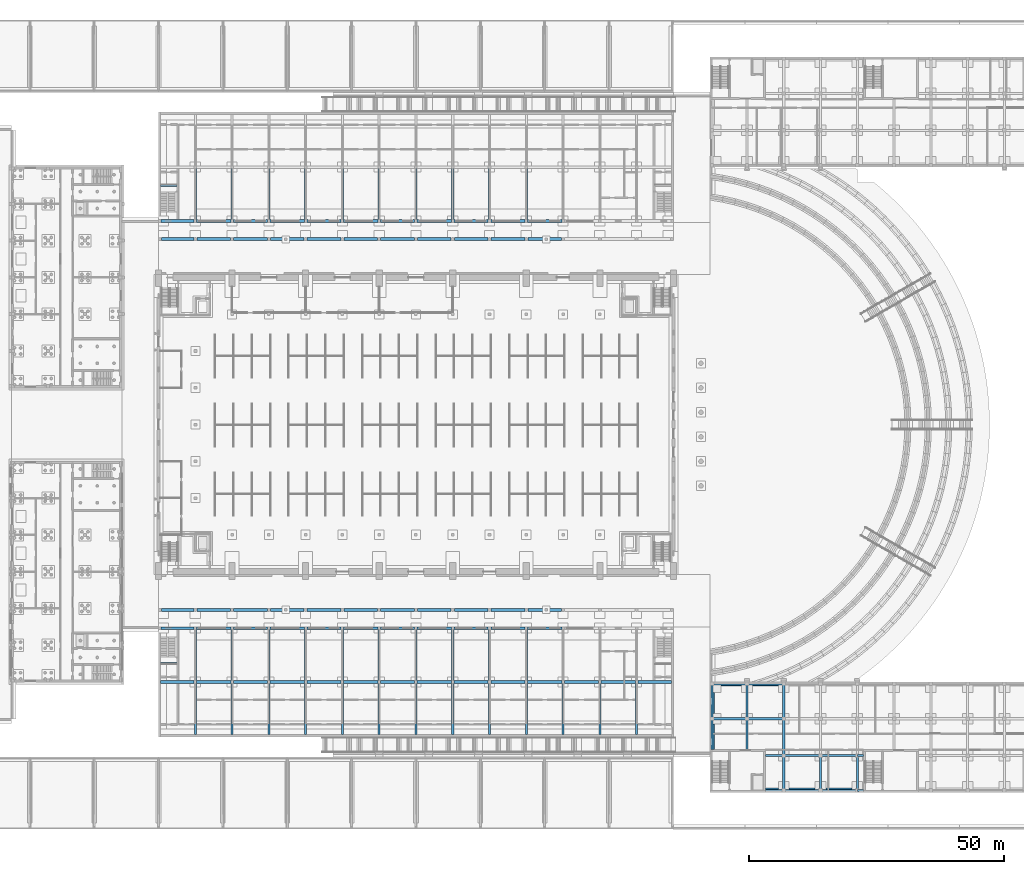
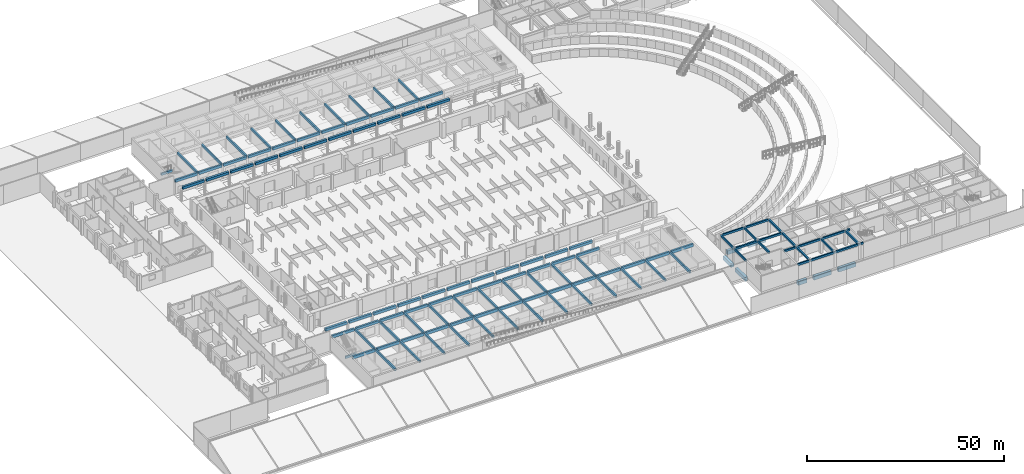
# One storey, part 20 of 73: 121 beams.
"""IFC4 building model written with IfcOpenShell, lengths in metres."""

from ifc_helpers import new_model, si_unit, direction, frame, origin, origin_2d, place, context, subcontext, project, spatial, rectangle, extrude, material, material_profile, profile_set, type_object, element, save


model = new_model("IFC4")

# Units and contexts
model_context = context("Model", 3, precision=1e-05, world=origin(), true_north=direction((0.0, 1.0)))
body_context = subcontext(model_context, "Body", "Model", "MODEL_VIEW")
ifc_project = project(units=[si_unit("LENGTHUNIT", "METRE"), si_unit("AREAUNIT", "SQUARE_METRE"), si_unit("VOLUMEUNIT", "CUBIC_METRE"), si_unit("PLANEANGLEUNIT", "RADIAN"), si_unit("MASSUNIT", "GRAM", prefix="KILO")], contexts=[model_context])

# Site, building, storey
site_placement = place(None, origin())
site = spatial("IfcSite", under=ifc_project, at=site_placement, CompositionType="ELEMENT")
building_placement = place(site_placement, origin())
building = spatial("IfcBuilding", under=site, at=building_placement, Name="Alderwick Market Hall", CompositionType="ELEMENT")
storey_placement = place(building_placement, origin())
storey = spatial("IfcBuildingStorey", under=building, at=storey_placement, Name="LG", CompositionType="ELEMENT", Elevation=0.0)

# Beams
ifc_material = material(Name="Concrete 5000 psi (f'c 35 MPa)", Category="concrete")
ifc_material_profile_1 = material_profile(ifc_material, rectangle(XDim=0.60009765625, YDim=0.800048828125, at=origin_2d()), Name="A RC Arcade Beam 600x800")
ifc_profile_set_1 = profile_set([ifc_material_profile_1], Name="Concrete 5000 psi (f'c 35 MPa)")
beam_type_1 = type_object("IfcBeamType", Name="A RC Arcade Beam 600x800", PredefinedType="BEAM", material=ifc_profile_set_1)
beam_1_placement = place(storey_placement, frame((51.0, 115.5, 4.0), z_axis=(1.0, 0.0, 0.0), x_axis=(0.0, 1.0, 0.0)))
element("IfcBeam", 1, at=beam_1_placement, inside=storey, type_object=beam_type_1, Name="A.N.beam.C00", PredefinedType="BEAM", context=body_context, shape_type="SweptSolid", body=[
    extrude(rectangle(XDim=0.60009765625, YDim=0.800048828125, at=origin_2d()), origin(), (0.0, 0.0, 1.0), 6.300048828125),
])
beam_2_placement = place(storey_placement, frame((57.89990234375, 115.5, 4.0), z_axis=(1.0, 0.0, 0.0), x_axis=(0.0, 1.0, 0.0)))
element("IfcBeam", 2, at=beam_2_placement, inside=storey, type_object=beam_type_1, Name="A.N.beam.C01", PredefinedType="BEAM", context=body_context, shape_type="SweptSolid", body=[
    extrude(rectangle(XDim=0.60009765625, YDim=0.800048828125, at=origin_2d()), origin(), (0.0, 0.0, 1.0), 6.60009765625),
])
for number, where, z_axis, x_axis, name in (
    (3, (65.10009765625, 115.5, 4.0), (1.0, 0.0, 0.0), (0.0, 1.0, 0.0), "A.N.beam.C02"),
    (4, (72.300048828125, 115.5, 4.0), (1.0, 0.0, 0.0), (0.0, 1.0, 0.0), "A.N.beam.C03"),
):
    element("IfcBeam", number, at=place(storey_placement, frame(where, z_axis=z_axis, x_axis=x_axis)), inside=storey, type_object=beam_type_1, Name=name, PredefinedType="BEAM", context=body_context, shape_type="SweptSolid", body=[
        extrude(rectangle(XDim=0.60009765625, YDim=0.800048828125, at=origin_2d()), origin(), (0.0, 0.0, 1.0), 6.599853515625),
    ])
for number, where, z_axis, x_axis, name in (
    (5, (79.5, 115.5, 4.0), (1.0, 0.0, 0.0), (0.0, 1.0, 0.0), "A.N.beam.C04"),
    (6, (86.699951171875, 115.5, 4.0), (1.0, 0.0, 0.0), (0.0, 1.0, 0.0), "A.N.beam.C05"),
    (7, (93.89990234375, 115.5, 4.0), (1.0, 0.0, 0.0), (0.0, 1.0, 0.0), "A.N.beam.C06"),
):
    element("IfcBeam", number, at=place(storey_placement, frame(where, z_axis=z_axis, x_axis=x_axis)), inside=storey, type_object=beam_type_1, Name=name, PredefinedType="BEAM", context=body_context, shape_type="SweptSolid", body=[
        extrude(rectangle(XDim=0.60009765625, YDim=0.800048828125, at=origin_2d()), origin(), (0.0, 0.0, 1.0), 6.60009765625),
    ])
for number, where, z_axis, x_axis, name in (
    (8, (101.10009765625, 115.5, 4.0), (1.0, 0.0, 0.0), (0.0, 1.0, 0.0), "A.N.beam.C07"),
    (9, (108.300048828125, 115.5, 4.0), (1.0, 0.0, 0.0), (0.0, 1.0, 0.0), "A.N.beam.C08"),
):
    element("IfcBeam", number, at=place(storey_placement, frame(where, z_axis=z_axis, x_axis=x_axis)), inside=storey, type_object=beam_type_1, Name=name, PredefinedType="BEAM", context=body_context, shape_type="SweptSolid", body=[
        extrude(rectangle(XDim=0.60009765625, YDim=0.800048828125, at=origin_2d()), origin(), (0.0, 0.0, 1.0), 6.599853515625),
    ])
for number, where, z_axis, x_axis, name in (
    (10, (115.5, 115.5, 4.0), (1.0, 0.0, 0.0), (0.0, 1.0, 0.0), "A.N.beam.C09"),
    (11, (122.699951171875, 115.5, 4.0), (1.0, 0.0, 0.0), (0.0, 1.0, 0.0), "A.N.beam.C10"),
):
    element("IfcBeam", number, at=place(storey_placement, frame(where, z_axis=z_axis, x_axis=x_axis)), inside=storey, type_object=beam_type_1, Name=name, PredefinedType="BEAM", context=body_context, shape_type="SweptSolid", body=[
        extrude(rectangle(XDim=0.60009765625, YDim=0.800048828125, at=origin_2d()), origin(), (0.0, 0.0, 1.0), 6.60009765625),
    ])
beam_3_placement = place(storey_placement, frame((51.0, 42.89990234375, 4.0), z_axis=(1.0, 0.0, 0.0), x_axis=(0.0, 1.0, 0.0)))
element("IfcBeam", 12, at=beam_3_placement, inside=storey, type_object=beam_type_1, Name="A.S.beam.C00", PredefinedType="BEAM", context=body_context, shape_type="SweptSolid", body=[
    extrude(rectangle(XDim=0.60009765625, YDim=0.800048828125, at=origin_2d()), origin(), (0.0, 0.0, 1.0), 6.300048828125),
])
beam_4_placement = place(storey_placement, frame((57.89990234375, 42.89990234375, 4.0), z_axis=(1.0, 0.0, 0.0), x_axis=(0.0, 1.0, 0.0)))
element("IfcBeam", 13, at=beam_4_placement, inside=storey, type_object=beam_type_1, Name="A.S.beam.C01", PredefinedType="BEAM", context=body_context, shape_type="SweptSolid", body=[
    extrude(rectangle(XDim=0.60009765625, YDim=0.800048828125, at=origin_2d()), origin(), (0.0, 0.0, 1.0), 6.60009765625),
])
for number, where, z_axis, x_axis, name in (
    (14, (65.10009765625, 42.89990234375, 4.0), (1.0, 0.0, 0.0), (0.0, 1.0, 0.0), "A.S.beam.C02"),
    (15, (72.300048828125, 42.89990234375, 4.0), (1.0, 0.0, 0.0), (0.0, 1.0, 0.0), "A.S.beam.C03"),
):
    element("IfcBeam", number, at=place(storey_placement, frame(where, z_axis=z_axis, x_axis=x_axis)), inside=storey, type_object=beam_type_1, Name=name, PredefinedType="BEAM", context=body_context, shape_type="SweptSolid", body=[
        extrude(rectangle(XDim=0.60009765625, YDim=0.800048828125, at=origin_2d()), origin(), (0.0, 0.0, 1.0), 6.599853515625),
    ])
for number, where, z_axis, x_axis, name in (
    (16, (79.5, 42.89990234375, 4.0), (1.0, 0.0, 0.0), (0.0, 1.0, 0.0), "A.S.beam.C04"),
    (17, (86.699951171875, 42.89990234375, 4.0), (1.0, 0.0, 0.0), (0.0, 1.0, 0.0), "A.S.beam.C05"),
    (18, (93.89990234375, 42.89990234375, 4.0), (1.0, 0.0, 0.0), (0.0, 1.0, 0.0), "A.S.beam.C06"),
):
    element("IfcBeam", number, at=place(storey_placement, frame(where, z_axis=z_axis, x_axis=x_axis)), inside=storey, type_object=beam_type_1, Name=name, PredefinedType="BEAM", context=body_context, shape_type="SweptSolid", body=[
        extrude(rectangle(XDim=0.60009765625, YDim=0.800048828125, at=origin_2d()), origin(), (0.0, 0.0, 1.0), 6.60009765625),
    ])
for number, where, z_axis, x_axis, name in (
    (19, (101.10009765625, 42.89990234375, 4.0), (1.0, 0.0, 0.0), (0.0, 1.0, 0.0), "A.S.beam.C07"),
    (20, (108.300048828125, 42.89990234375, 4.0), (1.0, 0.0, 0.0), (0.0, 1.0, 0.0), "A.S.beam.C08"),
):
    element("IfcBeam", number, at=place(storey_placement, frame(where, z_axis=z_axis, x_axis=x_axis)), inside=storey, type_object=beam_type_1, Name=name, PredefinedType="BEAM", context=body_context, shape_type="SweptSolid", body=[
        extrude(rectangle(XDim=0.60009765625, YDim=0.800048828125, at=origin_2d()), origin(), (0.0, 0.0, 1.0), 6.599853515625),
    ])
for number, where, z_axis, x_axis, name in (
    (21, (115.5, 42.89990234375, 4.0), (1.0, 0.0, 0.0), (0.0, 1.0, 0.0), "A.S.beam.C09"),
    (22, (122.699951171875, 42.89990234375, 4.0), (1.0, 0.0, 0.0), (0.0, 1.0, 0.0), "A.S.beam.C10"),
):
    element("IfcBeam", number, at=place(storey_placement, frame(where, z_axis=z_axis, x_axis=x_axis)), inside=storey, type_object=beam_type_1, Name=name, PredefinedType="BEAM", context=body_context, shape_type="SweptSolid", body=[
        extrude(rectangle(XDim=0.60009765625, YDim=0.800048828125, at=origin_2d()), origin(), (0.0, 0.0, 1.0), 6.60009765625),
    ])
ifc_material_profile_2 = material_profile(ifc_material, rectangle(XDim=0.39990234375, YDim=0.699951171875, at=origin_2d()), Name="A RC Cross Beam 400x700")
ifc_profile_set_2 = profile_set([ifc_material_profile_2], Name="Concrete 5000 psi (f'c 35 MPa)")
beam_type_2 = type_object("IfcBeamType", Name="A RC Cross Beam 400x700", PredefinedType="BEAM", material=ifc_profile_set_2)
for number, where, z_axis, x_axis, name in (
    (23, (57.60009765625, 119.300048828125, 4.050048828125), (0.0, 1.0, 0.0), (-1.0, 0.0, 0.0), "A.N.beam.X000"),
    (24, (64.800048828125, 119.300048828125, 4.050048828125), (0.0, 1.0, 0.0), (-1.0, 0.0, 0.0), "A.N.beam.X010"),
    (25, (72.0, 119.300048828125, 4.050048828125), (0.0, 1.0, 0.0), (-1.0, 0.0, 0.0), "A.N.beam.X020"),
    (26, (79.199951171875, 119.300048828125, 4.050048828125), (0.0, 1.0, 0.0), (-1.0, 0.0, 0.0), "A.N.beam.X030"),
    (27, (86.39990234375, 119.300048828125, 4.050048828125), (0.0, 1.0, 0.0), (-1.0, 0.0, 0.0), "A.N.beam.X040"),
    (28, (93.60009765625, 119.300048828125, 4.050048828125), (0.0, 1.0, 0.0), (-1.0, 0.0, 0.0), "A.N.beam.X050"),
    (29, (100.800048828125, 119.300048828125, 4.050048828125), (0.0, 1.0, 0.0), (-1.0, 0.0, 0.0), "A.N.beam.X060"),
    (30, (108.0, 119.300048828125, 4.050048828125), (0.0, 1.0, 0.0), (-1.0, 0.0, 0.0), "A.N.beam.X070"),
    (31, (115.199951171875, 119.300048828125, 4.050048828125), (0.0, 1.0, 0.0), (-1.0, 0.0, 0.0), "A.N.beam.X080"),
    (32, (122.39990234375, 119.300048828125, 4.050048828125), (0.0, 1.0, 0.0), (-1.0, 0.0, 0.0), "A.N.beam.X090"),
    (33, (57.60009765625, 39.10009765625, 4.050048828125), (0.0, -1.0, 0.0), (1.0, 0.0, 0.0), "A.S.beam.X000"),
    (34, (57.60009765625, 28.550048828125, 4.050048828125), (0.0, -1.0, 0.0), (1.0, 0.0, 0.0), "A.S.beam.X001"),
    (35, (64.800048828125, 39.10009765625, 4.050048828125), (0.0, -1.0, 0.0), (1.0, 0.0, 0.0), "A.S.beam.X010"),
    (36, (64.800048828125, 28.550048828125, 4.050048828125), (0.0, -1.0, 0.0), (1.0, 0.0, 0.0), "A.S.beam.X011"),
    (37, (72.0, 39.10009765625, 4.050048828125), (0.0, -1.0, 0.0), (1.0, 0.0, 0.0), "A.S.beam.X020"),
    (38, (72.0, 28.550048828125, 4.050048828125), (0.0, -1.0, 0.0), (1.0, 0.0, 0.0), "A.S.beam.X021"),
    (39, (79.199951171875, 39.10009765625, 4.050048828125), (0.0, -1.0, 0.0), (1.0, 0.0, 0.0), "A.S.beam.X030"),
    (40, (79.199951171875, 28.550048828125, 4.050048828125), (0.0, -1.0, 0.0), (1.0, 0.0, 0.0), "A.S.beam.X031"),
    (41, (86.39990234375, 39.10009765625, 4.050048828125), (0.0, -1.0, 0.0), (1.0, 0.0, 0.0), "A.S.beam.X040"),
    (42, (86.39990234375, 28.550048828125, 4.050048828125), (0.0, -1.0, 0.0), (1.0, 0.0, 0.0), "A.S.beam.X041"),
    (43, (93.60009765625, 39.10009765625, 4.050048828125), (0.0, -1.0, 0.0), (1.0, 0.0, 0.0), "A.S.beam.X050"),
    (44, (93.60009765625, 28.550048828125, 4.050048828125), (0.0, -1.0, 0.0), (1.0, 0.0, 0.0), "A.S.beam.X051"),
    (45, (100.800048828125, 39.10009765625, 4.050048828125), (0.0, -1.0, 0.0), (1.0, 0.0, 0.0), "A.S.beam.X060"),
    (46, (100.800048828125, 28.550048828125, 4.050048828125), (0.0, -1.0, 0.0), (1.0, 0.0, 0.0), "A.S.beam.X061"),
    (47, (108.0, 39.10009765625, 4.050048828125), (0.0, -1.0, 0.0), (1.0, 0.0, 0.0), "A.S.beam.X070"),
    (48, (108.0, 28.550048828125, 4.050048828125), (0.0, -1.0, 0.0), (1.0, 0.0, 0.0), "A.S.beam.X071"),
    (49, (115.199951171875, 39.10009765625, 4.050048828125), (0.0, -1.0, 0.0), (1.0, 0.0, 0.0), "A.S.beam.X080"),
    (50, (115.199951171875, 28.550048828125, 4.050048828125), (0.0, -1.0, 0.0), (1.0, 0.0, 0.0), "A.S.beam.X081"),
    (51, (122.39990234375, 39.10009765625, 4.050048828125), (0.0, -1.0, 0.0), (1.0, 0.0, 0.0), "A.S.beam.X090"),
    (52, (122.39990234375, 28.550048828125, 4.050048828125), (0.0, -1.0, 0.0), (1.0, 0.0, 0.0), "A.S.beam.X091"),
    (53, (129.60009765625, 28.550048828125, 4.050048828125), (0.0, -1.0, 0.0), (1.0, 0.0, 0.0), "A.S.beam.X101"),
    (54, (136.800048828125, 28.550048828125, 4.050048828125), (0.0, -1.0, 0.0), (1.0, 0.0, 0.0), "A.S.beam.X111"),
    (55, (144.0, 28.550048828125, 4.050048828125), (0.0, -1.0, 0.0), (1.0, 0.0, 0.0), "A.S.beam.X121"),
):
    element("IfcBeam", number, at=place(storey_placement, frame(where, z_axis=z_axis, x_axis=x_axis)), inside=storey, type_object=beam_type_2, Name=name, PredefinedType="BEAM", context=body_context, shape_type="SweptSolid", body=[
        extrude(rectangle(XDim=0.39990234375, YDim=0.699951171875, at=origin_2d()), origin(), (0.0, 0.0, 1.0), 10.050048828125),
    ])
for number, where, z_axis, x_axis, name in (
    (56, (50.800048828125, 126.02001953125, 1.85009765625), (1.0, 0.0, 0.0), (0.0, 1.0, 0.0), "A.N.beam.landing.W"),
    (57, (50.800048828125, 32.3798828125, 1.85009765625), (1.0, 0.0, 0.0), (0.0, 1.0, 0.0), "A.S.beam.landing.W"),
):
    element("IfcBeam", number, at=place(storey_placement, frame(where, z_axis=z_axis, x_axis=x_axis)), inside=storey, type_object=beam_type_2, Name=name, PredefinedType="BEAM", context=body_context, shape_type="SweptSolid", body=[
        extrude(rectangle(XDim=0.39990234375, YDim=0.699951171875, at=origin_2d()), origin(), (0.0, 0.0, 1.0), 3.25),
    ])
ifc_material_profile_3 = material_profile(ifc_material, rectangle(XDim=0.5, YDim=0.800048828125, at=origin_2d()), Name="A RC Edge Beam 500x800")
ifc_profile_set_3 = profile_set([ifc_material_profile_3], Name="Concrete 5000 psi (f'c 35 MPa)")
beam_type_3 = type_object("IfcBeamType", Name="A RC Edge Beam 500x800", PredefinedType="BEAM", material=ifc_profile_set_3)
beam_5_placement = place(storey_placement, frame((50.89990234375, 119.050048828125, 4.0), z_axis=(1.0, 0.0, 0.0), x_axis=(0.0, 1.0, 0.0)))
element("IfcBeam", 58, at=beam_5_placement, inside=storey, type_object=beam_type_3, Name="A.N.beam.F00", PredefinedType="BEAM", context=body_context, shape_type="SweptSolid", body=[
    extrude(rectangle(XDim=0.5, YDim=0.800048828125, at=origin_2d()), origin(), (0.0, 0.0, 1.0), 6.4501953125),
])
for number, where, z_axis, x_axis, name in (
    (59, (57.85009765625, 119.050048828125, 4.0), (1.0, 0.0, 0.0), (0.0, 1.0, 0.0), "A.N.beam.F01"),
    (60, (65.050048828125, 119.050048828125, 4.0), (1.0, 0.0, 0.0), (0.0, 1.0, 0.0), "A.N.beam.F02"),
    (61, (72.25, 119.050048828125, 4.0), (1.0, 0.0, 0.0), (0.0, 1.0, 0.0), "A.N.beam.F03"),
    (62, (79.449951171875, 119.050048828125, 4.0), (1.0, 0.0, 0.0), (0.0, 1.0, 0.0), "A.N.beam.F04"),
):
    element("IfcBeam", number, at=place(storey_placement, frame(where, z_axis=z_axis, x_axis=x_axis)), inside=storey, type_object=beam_type_3, Name=name, PredefinedType="BEAM", context=body_context, shape_type="SweptSolid", body=[
        extrude(rectangle(XDim=0.5, YDim=0.800048828125, at=origin_2d()), origin(), (0.0, 0.0, 1.0), 6.699951171875),
    ])
beam_6_placement = place(storey_placement, frame((86.64990234375, 119.050048828125, 4.0), z_axis=(1.0, 0.0, 0.0), x_axis=(0.0, 1.0, 0.0)))
element("IfcBeam", 63, at=beam_6_placement, inside=storey, type_object=beam_type_3, Name="A.N.beam.F05", PredefinedType="BEAM", context=body_context, shape_type="SweptSolid", body=[
    extrude(rectangle(XDim=0.5, YDim=0.800048828125, at=origin_2d()), origin(), (0.0, 0.0, 1.0), 6.7001953125),
])
for number, where, z_axis, x_axis, name in (
    (64, (93.85009765625, 119.050048828125, 4.0), (1.0, 0.0, 0.0), (0.0, 1.0, 0.0), "A.N.beam.F06"),
    (65, (101.050048828125, 119.050048828125, 4.0), (1.0, 0.0, 0.0), (0.0, 1.0, 0.0), "A.N.beam.F07"),
    (66, (108.25, 119.050048828125, 4.0), (1.0, 0.0, 0.0), (0.0, 1.0, 0.0), "A.N.beam.F08"),
    (67, (115.449951171875, 119.050048828125, 4.0), (1.0, 0.0, 0.0), (0.0, 1.0, 0.0), "A.N.beam.F09"),
):
    element("IfcBeam", number, at=place(storey_placement, frame(where, z_axis=z_axis, x_axis=x_axis)), inside=storey, type_object=beam_type_3, Name=name, PredefinedType="BEAM", context=body_context, shape_type="SweptSolid", body=[
        extrude(rectangle(XDim=0.5, YDim=0.800048828125, at=origin_2d()), origin(), (0.0, 0.0, 1.0), 6.699951171875),
    ])
beam_7_placement = place(storey_placement, frame((122.64990234375, 119.050048828125, 4.0), z_axis=(1.0, 0.0, 0.0), x_axis=(0.0, 1.0, 0.0)))
element("IfcBeam", 68, at=beam_7_placement, inside=storey, type_object=beam_type_3, Name="A.N.beam.F10", PredefinedType="BEAM", context=body_context, shape_type="SweptSolid", body=[
    extrude(rectangle(XDim=0.5, YDim=0.800048828125, at=origin_2d()), origin(), (0.0, 0.0, 1.0), 6.7001953125),
])
beam_8_placement = place(storey_placement, frame((50.89990234375, 39.35009765625, 4.0), z_axis=(1.0, 0.0, 0.0), x_axis=(0.0, 1.0, 0.0)))
element("IfcBeam", 69, at=beam_8_placement, inside=storey, type_object=beam_type_3, Name="A.S.beam.F00", PredefinedType="BEAM", context=body_context, shape_type="SweptSolid", body=[
    extrude(rectangle(XDim=0.5, YDim=0.800048828125, at=origin_2d()), origin(), (0.0, 0.0, 1.0), 6.4501953125),
])
for number, where, z_axis, x_axis, name in (
    (70, (57.85009765625, 39.35009765625, 4.0), (1.0, 0.0, 0.0), (0.0, 1.0, 0.0), "A.S.beam.F01"),
    (71, (65.050048828125, 39.35009765625, 4.0), (1.0, 0.0, 0.0), (0.0, 1.0, 0.0), "A.S.beam.F02"),
    (72, (72.25, 39.35009765625, 4.0), (1.0, 0.0, 0.0), (0.0, 1.0, 0.0), "A.S.beam.F03"),
    (73, (79.449951171875, 39.35009765625, 4.0), (1.0, 0.0, 0.0), (0.0, 1.0, 0.0), "A.S.beam.F04"),
):
    element("IfcBeam", number, at=place(storey_placement, frame(where, z_axis=z_axis, x_axis=x_axis)), inside=storey, type_object=beam_type_3, Name=name, PredefinedType="BEAM", context=body_context, shape_type="SweptSolid", body=[
        extrude(rectangle(XDim=0.5, YDim=0.800048828125, at=origin_2d()), origin(), (0.0, 0.0, 1.0), 6.699951171875),
    ])
beam_9_placement = place(storey_placement, frame((86.64990234375, 39.35009765625, 4.0), z_axis=(1.0, 0.0, 0.0), x_axis=(0.0, 1.0, 0.0)))
element("IfcBeam", 74, at=beam_9_placement, inside=storey, type_object=beam_type_3, Name="A.S.beam.F05", PredefinedType="BEAM", context=body_context, shape_type="SweptSolid", body=[
    extrude(rectangle(XDim=0.5, YDim=0.800048828125, at=origin_2d()), origin(), (0.0, 0.0, 1.0), 6.7001953125),
])
for number, where, z_axis, x_axis, name in (
    (75, (93.85009765625, 39.35009765625, 4.0), (1.0, 0.0, 0.0), (0.0, 1.0, 0.0), "A.S.beam.F06"),
    (76, (101.050048828125, 39.35009765625, 4.0), (1.0, 0.0, 0.0), (0.0, 1.0, 0.0), "A.S.beam.F07"),
    (77, (108.25, 39.35009765625, 4.0), (1.0, 0.0, 0.0), (0.0, 1.0, 0.0), "A.S.beam.F08"),
    (78, (115.449951171875, 39.35009765625, 4.0), (1.0, 0.0, 0.0), (0.0, 1.0, 0.0), "A.S.beam.F09"),
):
    element("IfcBeam", number, at=place(storey_placement, frame(where, z_axis=z_axis, x_axis=x_axis)), inside=storey, type_object=beam_type_3, Name=name, PredefinedType="BEAM", context=body_context, shape_type="SweptSolid", body=[
        extrude(rectangle(XDim=0.5, YDim=0.800048828125, at=origin_2d()), origin(), (0.0, 0.0, 1.0), 6.699951171875),
    ])
beam_10_placement = place(storey_placement, frame((122.64990234375, 39.35009765625, 4.0), z_axis=(1.0, 0.0, 0.0), x_axis=(0.0, 1.0, 0.0)))
element("IfcBeam", 79, at=beam_10_placement, inside=storey, type_object=beam_type_3, Name="A.S.beam.F10", PredefinedType="BEAM", context=body_context, shape_type="SweptSolid", body=[
    extrude(rectangle(XDim=0.5, YDim=0.800048828125, at=origin_2d()), origin(), (0.0, 0.0, 1.0), 6.7001953125),
])
ifc_material_profile_4 = material_profile(ifc_material, rectangle(XDim=0.5, YDim=0.89990234375, at=origin_2d()), Name="A RC Ridge Beam 500x900")
ifc_profile_set_4 = profile_set([ifc_material_profile_4], Name="Concrete 5000 psi (f'c 35 MPa)")
beam_type_4 = type_object("IfcBeamType", Name="A RC Ridge Beam 500x900", PredefinedType="BEAM", material=ifc_profile_set_4)
beam_11_placement = place(storey_placement, frame((50.800048828125, 28.800048828125, 3.949951171875), z_axis=(1.0, 0.0, 0.0), x_axis=(0.0, 1.0, 0.0)))
element("IfcBeam", 80, at=beam_11_placement, inside=storey, type_object=beam_type_4, Name="A.S.beam.R00", PredefinedType="BEAM", context=body_context, shape_type="SweptSolid", body=[
    extrude(rectangle(XDim=0.5, YDim=0.89990234375, at=origin_2d()), origin(), (0.0, 0.0, 1.0), 6.550048828125),
])
for number, where, z_axis, x_axis, name in (
    (81, (57.85009765625, 28.800048828125, 3.949951171875), (1.0, 0.0, 0.0), (0.0, 1.0, 0.0), "A.S.beam.R01"),
    (82, (65.050048828125, 28.800048828125, 3.949951171875), (1.0, 0.0, 0.0), (0.0, 1.0, 0.0), "A.S.beam.R02"),
    (83, (72.25, 28.800048828125, 3.949951171875), (1.0, 0.0, 0.0), (0.0, 1.0, 0.0), "A.S.beam.R03"),
    (84, (79.449951171875, 28.800048828125, 3.949951171875), (1.0, 0.0, 0.0), (0.0, 1.0, 0.0), "A.S.beam.R04"),
):
    element("IfcBeam", number, at=place(storey_placement, frame(where, z_axis=z_axis, x_axis=x_axis)), inside=storey, type_object=beam_type_4, Name=name, PredefinedType="BEAM", context=body_context, shape_type="SweptSolid", body=[
        extrude(rectangle(XDim=0.5, YDim=0.89990234375, at=origin_2d()), origin(), (0.0, 0.0, 1.0), 6.699951171875),
    ])
beam_12_placement = place(storey_placement, frame((86.64990234375, 28.800048828125, 3.949951171875), z_axis=(1.0, 0.0, 0.0), x_axis=(0.0, 1.0, 0.0)))
element("IfcBeam", 85, at=beam_12_placement, inside=storey, type_object=beam_type_4, Name="A.S.beam.R05", PredefinedType="BEAM", context=body_context, shape_type="SweptSolid", body=[
    extrude(rectangle(XDim=0.5, YDim=0.89990234375, at=origin_2d()), origin(), (0.0, 0.0, 1.0), 6.7001953125),
])
for number, where, z_axis, x_axis, name in (
    (86, (93.85009765625, 28.800048828125, 3.949951171875), (1.0, 0.0, 0.0), (0.0, 1.0, 0.0), "A.S.beam.R06"),
    (87, (101.050048828125, 28.800048828125, 3.949951171875), (1.0, 0.0, 0.0), (0.0, 1.0, 0.0), "A.S.beam.R07"),
    (88, (108.25, 28.800048828125, 3.949951171875), (1.0, 0.0, 0.0), (0.0, 1.0, 0.0), "A.S.beam.R08"),
    (89, (115.449951171875, 28.800048828125, 3.949951171875), (1.0, 0.0, 0.0), (0.0, 1.0, 0.0), "A.S.beam.R09"),
):
    element("IfcBeam", number, at=place(storey_placement, frame(where, z_axis=z_axis, x_axis=x_axis)), inside=storey, type_object=beam_type_4, Name=name, PredefinedType="BEAM", context=body_context, shape_type="SweptSolid", body=[
        extrude(rectangle(XDim=0.5, YDim=0.89990234375, at=origin_2d()), origin(), (0.0, 0.0, 1.0), 6.699951171875),
    ])
beam_13_placement = place(storey_placement, frame((122.64990234375, 28.800048828125, 3.949951171875), z_axis=(1.0, 0.0, 0.0), x_axis=(0.0, 1.0, 0.0)))
element("IfcBeam", 90, at=beam_13_placement, inside=storey, type_object=beam_type_4, Name="A.S.beam.R10", PredefinedType="BEAM", context=body_context, shape_type="SweptSolid", body=[
    extrude(rectangle(XDim=0.5, YDim=0.89990234375, at=origin_2d()), origin(), (0.0, 0.0, 1.0), 6.7001953125),
])
for number, where, z_axis, x_axis, name in (
    (91, (129.85009765625, 28.800048828125, 3.949951171875), (1.0, 0.0, 0.0), (0.0, 1.0, 0.0), "A.S.beam.R11"),
    (92, (137.050048828125, 28.800048828125, 3.949951171875), (1.0, 0.0, 0.0), (0.0, 1.0, 0.0), "A.S.beam.R12"),
):
    element("IfcBeam", number, at=place(storey_placement, frame(where, z_axis=z_axis, x_axis=x_axis)), inside=storey, type_object=beam_type_4, Name=name, PredefinedType="BEAM", context=body_context, shape_type="SweptSolid", body=[
        extrude(rectangle(XDim=0.5, YDim=0.89990234375, at=origin_2d()), origin(), (0.0, 0.0, 1.0), 6.699951171875),
    ])
beam_14_placement = place(storey_placement, frame((144.25, 28.800048828125, 3.949951171875), z_axis=(1.0, 0.0, 0.0), x_axis=(0.0, 1.0, 0.0)))
element("IfcBeam", 93, at=beam_14_placement, inside=storey, type_object=beam_type_4, Name="A.S.beam.R13", PredefinedType="BEAM", context=body_context, shape_type="SweptSolid", body=[
    extrude(rectangle(XDim=0.5, YDim=0.89990234375, at=origin_2d()), origin(), (0.0, 0.0, 1.0), 6.550048828125),
])
ifc_material_profile_5 = material_profile(ifc_material, rectangle(XDim=0.39990234375, YDim=0.60009765625, at=origin_2d()), Name="RC 400x600")
ifc_profile_set_5 = profile_set([ifc_material_profile_5], Name="Concrete 5000 psi (f'c 35 MPa)")
beam_type_5 = type_object("IfcBeamType", Name="C Floor Beam RC 400x600", PredefinedType="BEAM", material=ifc_profile_set_5)
beam_15_placement = place(storey_placement, frame((158.75, 28.449951171875, 4.25), z_axis=(1.0, 0.0, 0.0), x_axis=(0.0, 1.0, 0.0)))
element("IfcBeam", 94, at=beam_15_placement, inside=storey, type_object=beam_type_5, Name="C.beam.LG.001", PredefinedType="BEAM", context=body_context, shape_type="SweptSolid", body=[
    extrude(rectangle(XDim=0.39990234375, YDim=0.60009765625, at=origin_2d()), origin(), (0.0, 0.0, 1.0), 6.85009765625),
])
beam_16_placement = place(storey_placement, frame((165.60009765625, 28.449951171875, 4.25), z_axis=(1.0, 0.0, 0.0), x_axis=(0.0, 1.0, 0.0)))
element("IfcBeam", 95, at=beam_16_placement, inside=storey, type_object=beam_type_5, Name="C.beam.LG.002", PredefinedType="BEAM", context=body_context, shape_type="SweptSolid", body=[
    extrude(rectangle(XDim=0.39990234375, YDim=0.60009765625, at=origin_2d()), origin(), (0.0, 0.0, 1.0), 7.199951171875),
])
beam_17_placement = place(storey_placement, frame((158.75, 21.60009765625, 4.25), z_axis=(1.0, 0.0, 0.0), x_axis=(0.0, 1.0, 0.0)))
element("IfcBeam", 96, at=beam_17_placement, inside=storey, type_object=beam_type_5, Name="C.beam.LG.011", PredefinedType="BEAM", context=body_context, shape_type="SweptSolid", body=[
    extrude(rectangle(XDim=0.39990234375, YDim=0.60009765625, at=origin_2d()), origin(), (0.0, 0.0, 1.0), 6.85009765625),
])
beam_18_placement = place(storey_placement, frame((165.60009765625, 21.60009765625, 4.25), z_axis=(1.0, 0.0, 0.0), x_axis=(0.0, 1.0, 0.0)))
element("IfcBeam", 97, at=beam_18_placement, inside=storey, type_object=beam_type_5, Name="C.beam.LG.012", PredefinedType="BEAM", context=body_context, shape_type="SweptSolid", body=[
    extrude(rectangle(XDim=0.39990234375, YDim=0.60009765625, at=origin_2d()), origin(), (0.0, 0.0, 1.0), 7.199951171875),
])
beam_19_placement = place(storey_placement, frame((169.198974609375, 14.39990234375, 4.25), z_axis=(1.0, 0.0, 0.0), x_axis=(0.0, 1.0, 0.0)))
element("IfcBeam", 98, at=beam_19_placement, inside=storey, type_object=beam_type_5, Name="C.beam.LG.021", PredefinedType="BEAM", context=body_context, shape_type="SweptSolid", body=[
    extrude(rectangle(XDim=0.39990234375, YDim=0.60009765625, at=origin_2d()), origin(), (0.0, 0.0, 1.0), 3.60107421875),
])
for number, where, z_axis, x_axis, name in (
    (99, (172.800048828125, 14.39990234375, 4.25), (1.0, 0.0, 0.0), (0.0, 1.0, 0.0), "C.beam.LG.022"),
    (100, (180.0, 14.39990234375, 4.25), (1.0, 0.0, 0.0), (0.0, 1.0, 0.0), "C.beam.LG.023"),
):
    element("IfcBeam", number, at=place(storey_placement, frame(where, z_axis=z_axis, x_axis=x_axis)), inside=storey, type_object=beam_type_5, Name=name, PredefinedType="BEAM", context=body_context, shape_type="SweptSolid", body=[
        extrude(rectangle(XDim=0.39990234375, YDim=0.60009765625, at=origin_2d()), origin(), (0.0, 0.0, 1.0), 7.199951171875),
    ])
beam_20_placement = place(storey_placement, frame((187.199951171875, 14.39990234375, 4.25), z_axis=(1.0, 0.0, 0.0), x_axis=(0.0, 1.0, 0.0)))
element("IfcBeam", 101, at=beam_20_placement, inside=storey, type_object=beam_type_5, Name="C.beam.LG.024", PredefinedType="BEAM", context=body_context, shape_type="SweptSolid", body=[
    extrude(rectangle(XDim=0.39990234375, YDim=0.60009765625, at=origin_2d()), origin(), (0.0, 0.0, 1.0), 1.200927734375),
])
beam_21_placement = place(storey_placement, frame((169.198974609375, 7.550048828125, 4.25), z_axis=(1.0, 0.0, 0.0), x_axis=(0.0, 1.0, 0.0)))
element("IfcBeam", 102, at=beam_21_placement, inside=storey, type_object=beam_type_5, Name="C.beam.LG.029", PredefinedType="BEAM", context=body_context, shape_type="SweptSolid", body=[
    extrude(rectangle(XDim=0.39990234375, YDim=0.60009765625, at=origin_2d()), origin(), (0.0, 0.0, 1.0), 3.60107421875),
])
for number, where, z_axis, x_axis, name in (
    (103, (172.800048828125, 7.550048828125, 4.25), (1.0, 0.0, 0.0), (0.0, 1.0, 0.0), "C.beam.LG.030"),
    (104, (180.0, 7.550048828125, 4.25), (1.0, 0.0, 0.0), (0.0, 1.0, 0.0), "C.beam.LG.031"),
):
    element("IfcBeam", number, at=place(storey_placement, frame(where, z_axis=z_axis, x_axis=x_axis)), inside=storey, type_object=beam_type_5, Name=name, PredefinedType="BEAM", context=body_context, shape_type="SweptSolid", body=[
        extrude(rectangle(XDim=0.39990234375, YDim=0.60009765625, at=origin_2d()), origin(), (0.0, 0.0, 1.0), 7.199951171875),
    ])
beam_22_placement = place(storey_placement, frame((187.199951171875, 7.550048828125, 4.25), z_axis=(1.0, 0.0, 0.0), x_axis=(0.0, 1.0, 0.0)))
element("IfcBeam", 105, at=beam_22_placement, inside=storey, type_object=beam_type_5, Name="C.beam.LG.032", PredefinedType="BEAM", context=body_context, shape_type="SweptSolid", body=[
    extrude(rectangle(XDim=0.39990234375, YDim=0.60009765625, at=origin_2d()), origin(), (0.0, 0.0, 1.0), 1.200927734375),
])
beam_23_placement = place(storey_placement, frame((158.75, 28.449951171875, 4.25), z_axis=(0.0, -1.0, 0.0), x_axis=(1.0, 0.0, 0.0)))
element("IfcBeam", 106, at=beam_23_placement, inside=storey, type_object=beam_type_5, Name="C.beam.LG.037", PredefinedType="BEAM", context=body_context, shape_type="SweptSolid", body=[
    extrude(rectangle(XDim=0.39990234375, YDim=0.60009765625, at=origin_2d()), origin(), (0.0, 0.0, 1.0), 6.849853515625),
])
beam_24_placement = place(storey_placement, frame((158.75, 21.60009765625, 4.25), z_axis=(0.0, -1.0, 0.0), x_axis=(1.0, 0.0, 0.0)))
element("IfcBeam", 107, at=beam_24_placement, inside=storey, type_object=beam_type_5, Name="C.beam.LG.038", PredefinedType="BEAM", context=body_context, shape_type="SweptSolid", body=[
    extrude(rectangle(XDim=0.39990234375, YDim=0.60009765625, at=origin_2d()), origin(), (0.0, 0.0, 1.0), 6.0009765625),
])
beam_25_placement = place(storey_placement, frame((165.60009765625, 28.449951171875, 4.25), z_axis=(0.0, -1.0, 0.0), x_axis=(1.0, 0.0, 0.0)))
element("IfcBeam", 108, at=beam_25_placement, inside=storey, type_object=beam_type_5, Name="C.beam.LG.039", PredefinedType="BEAM", context=body_context, shape_type="SweptSolid", body=[
    extrude(rectangle(XDim=0.39990234375, YDim=0.60009765625, at=origin_2d()), origin(), (0.0, 0.0, 1.0), 6.849853515625),
])
beam_26_placement = place(storey_placement, frame((165.60009765625, 21.60009765625, 4.25), z_axis=(0.0, -1.0, 0.0), x_axis=(1.0, 0.0, 0.0)))
element("IfcBeam", 109, at=beam_26_placement, inside=storey, type_object=beam_type_5, Name="C.beam.LG.040", PredefinedType="BEAM", context=body_context, shape_type="SweptSolid", body=[
    extrude(rectangle(XDim=0.39990234375, YDim=0.60009765625, at=origin_2d()), origin(), (0.0, 0.0, 1.0), 6.0009765625),
])
beam_27_placement = place(storey_placement, frame((172.800048828125, 28.449951171875, 4.25), z_axis=(0.0, -1.0, 0.0), x_axis=(1.0, 0.0, 0.0)))
element("IfcBeam", 110, at=beam_27_placement, inside=storey, type_object=beam_type_5, Name="C.beam.LG.041", PredefinedType="BEAM", context=body_context, shape_type="SweptSolid", body=[
    extrude(rectangle(XDim=0.39990234375, YDim=0.60009765625, at=origin_2d()), origin(), (0.0, 0.0, 1.0), 6.849853515625),
])
beam_28_placement = place(storey_placement, frame((172.800048828125, 21.60009765625, 4.25), z_axis=(0.0, -1.0, 0.0), x_axis=(1.0, 0.0, 0.0)))
element("IfcBeam", 111, at=beam_28_placement, inside=storey, type_object=beam_type_5, Name="C.beam.LG.042", PredefinedType="BEAM", context=body_context, shape_type="SweptSolid", body=[
    extrude(rectangle(XDim=0.39990234375, YDim=0.60009765625, at=origin_2d()), origin(), (0.0, 0.0, 1.0), 7.2001953125),
])
for number, where, z_axis, x_axis, name in (
    (112, (172.800048828125, 14.39990234375, 4.25), (0.0, -1.0, 0.0), (1.0, 0.0, 0.0), "C.beam.LG.043"),
    (113, (180.0, 14.39990234375, 4.25), (0.0, -1.0, 0.0), (1.0, 0.0, 0.0), "C.beam.LG.046"),
    (114, (187.199951171875, 14.39990234375, 4.25), (0.0, -1.0, 0.0), (1.0, 0.0, 0.0), "C.beam.LG.049"),
):
    element("IfcBeam", number, at=place(storey_placement, frame(where, z_axis=z_axis, x_axis=x_axis)), inside=storey, type_object=beam_type_5, Name=name, PredefinedType="BEAM", context=body_context, shape_type="SweptSolid", body=[
        extrude(rectangle(XDim=0.39990234375, YDim=0.60009765625, at=origin_2d()), origin(), (0.0, 0.0, 1.0), 6.849853515625),
    ])
ifc_material_profile_6 = material_profile(ifc_material, rectangle(XDim=0.800048828125, YDim=1.199951171875, at=origin_2d()), Name="RC 800x1200")
ifc_profile_set_6 = profile_set([ifc_material_profile_6], Name="Concrete 5000 psi (f'c 35 MPa)")
beam_type_6 = type_object("IfcBeamType", Name="C Grade Beam RC 800x1200", PredefinedType="BEAM", material=ifc_profile_set_6)
beam_29_placement = place(storey_placement, frame((160.5009765625, 28.39990234375, -1.5), z_axis=(1.0, 0.0, 0.0), x_axis=(0.0, 1.0, 0.0)))
element("IfcBeam", 115, at=beam_29_placement, inside=storey, type_object=beam_type_6, Name="C.gbeam.LG.01", PredefinedType="BEAM", context=body_context, shape_type="SweptSolid", body=[
    extrude(rectangle(XDim=0.800048828125, YDim=1.199951171875, at=origin_2d()), origin(), (0.0, 0.0, 1.0), 4.048095703125),
])
beam_30_placement = place(storey_placement, frame((166.65087890625, 28.39990234375, -1.5), z_axis=(1.0, 0.0, 0.0), x_axis=(0.0, 1.0, 0.0)))
element("IfcBeam", 116, at=beam_30_placement, inside=storey, type_object=beam_type_6, Name="C.gbeam.LG.02", PredefinedType="BEAM", context=body_context, shape_type="SweptSolid", body=[
    extrude(rectangle(XDim=0.800048828125, YDim=1.199951171875, at=origin_2d()), origin(), (0.0, 0.0, 1.0), 5.09814453125),
])
beam_31_placement = place(storey_placement, frame((169.200927734375, 7.60009765625, -1.5), z_axis=(1.0, 0.0, 0.0), x_axis=(0.0, 1.0, 0.0)))
element("IfcBeam", 117, at=beam_31_placement, inside=storey, type_object=beam_type_6, Name="C.gbeam.LG.11", PredefinedType="BEAM", context=body_context, shape_type="SweptSolid", body=[
    extrude(rectangle(XDim=0.800048828125, YDim=1.199951171875, at=origin_2d()), origin(), (0.0, 0.0, 1.0), 2.548095703125),
])
for number, where, z_axis, x_axis, name in (
    (118, (173.85107421875, 7.60009765625, -1.5), (1.0, 0.0, 0.0), (0.0, 1.0, 0.0), "C.gbeam.LG.12"),
    (119, (181.051025390625, 7.60009765625, -1.5), (1.0, 0.0, 0.0), (0.0, 1.0, 0.0), "C.gbeam.LG.13"),
):
    element("IfcBeam", number, at=place(storey_placement, frame(where, z_axis=z_axis, x_axis=x_axis)), inside=storey, type_object=beam_type_6, Name=name, PredefinedType="BEAM", context=body_context, shape_type="SweptSolid", body=[
        extrude(rectangle(XDim=0.800048828125, YDim=1.199951171875, at=origin_2d()), origin(), (0.0, 0.0, 1.0), 5.097900390625),
    ])
beam_32_placement = place(storey_placement, frame((158.800048828125, 22.65087890625, -1.5), z_axis=(0.0, 1.0, 0.0), x_axis=(-1.0, 0.0, 0.0)))
element("IfcBeam", 120, at=beam_32_placement, inside=storey, type_object=beam_type_6, Name="C.gbeam.LG.18", PredefinedType="BEAM", context=body_context, shape_type="SweptSolid", body=[
    extrude(rectangle(XDim=0.800048828125, YDim=1.199951171875, at=origin_2d()), origin(), (0.0, 0.0, 1.0), 4.048095703125),
])
beam_33_placement = place(storey_placement, frame((158.800048828125, 15.60107421875, -1.5), z_axis=(0.0, 1.0, 0.0), x_axis=(-1.0, 0.0, 0.0)))
element("IfcBeam", 121, at=beam_33_placement, inside=storey, type_object=beam_type_6, Name="C.gbeam.LG.19", PredefinedType="BEAM", context=body_context, shape_type="SweptSolid", body=[
    extrude(rectangle(XDim=0.800048828125, YDim=1.199951171875, at=origin_2d()), origin(), (0.0, 0.0, 1.0), 4.947998046875),
])

save(model, "model.ifc")
